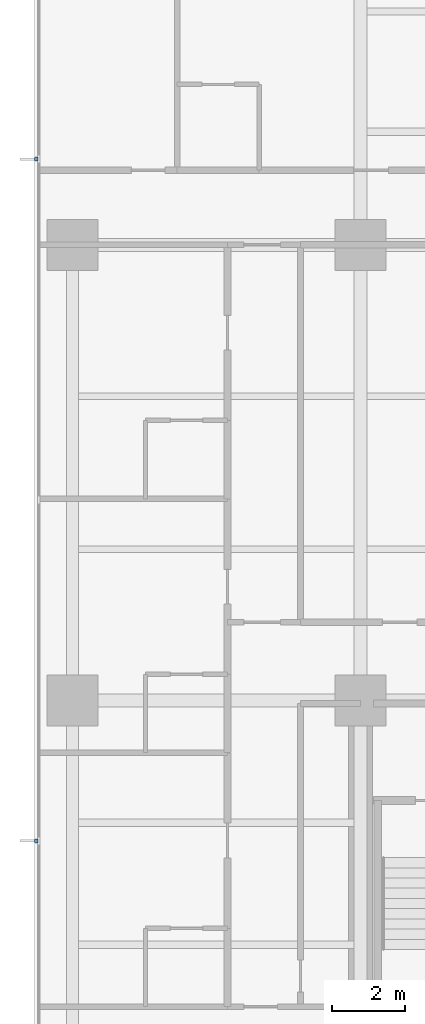
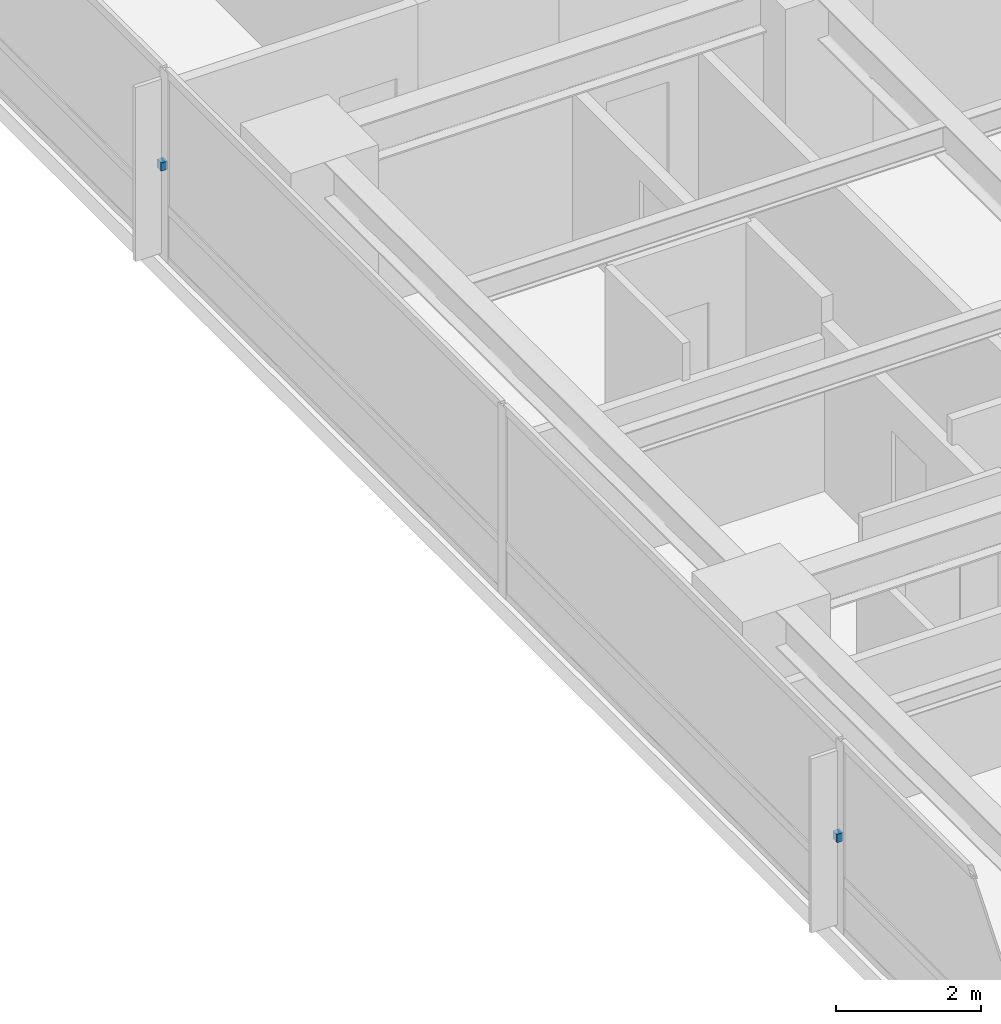
# One storey, part 12 of 16: 2 discrete accessories.
"""IFC4 building model written with IfcOpenShell, lengths in metres."""

from ifc_helpers import new_model, si_unit, direction, frame, origin, place, context, subcontext, project, spatial, polyline, outline, extrude, material, type_object, element, save


model = new_model("IFC4")

# Units and contexts
model_context = context("Model", 3, precision=1e-05, world=origin(), true_north=direction((0.0, 1.0)))
body_context = subcontext(model_context, "Body", "Model", "MODEL_VIEW")
ifc_project = project(units=[si_unit("LENGTHUNIT", "METRE"), si_unit("AREAUNIT", "SQUARE_METRE"), si_unit("VOLUMEUNIT", "CUBIC_METRE"), si_unit("PLANEANGLEUNIT", "RADIAN"), si_unit("MASSUNIT", "GRAM", prefix="KILO")], contexts=[model_context])

# Site, building, storey
site_placement = place(None, origin())
site = spatial("IfcSite", under=ifc_project, at=site_placement, CompositionType="ELEMENT")
building_placement = place(site_placement, origin())
building = spatial("IfcBuilding", under=site, at=building_placement, Name="Qalmaran Belvedere Hotel", CompositionType="ELEMENT")
storey_placement = place(building_placement, frame((0.0, 0.0, 64.89990234375)))
storey = spatial("IfcBuildingStorey", under=building, at=storey_placement, Name="L16", CompositionType="ELEMENT", Elevation=64.89990234375)

# Discrete accessories
ifc_material = material(Name="Stainless Steel 1.4401", Category="steel")
discrete_accessory_type = type_object("IfcDiscreteAccessoryType", Name="BRK-FIN-SS316", PredefinedType="BRACKET", material=ifc_material)
discrete_accessory_1_placement = place(storey_placement, frame((0.0, 0.0, 1.56005859375)))
element("IfcDiscreteAccessory", 1, at=discrete_accessory_1_placement, inside=storey, type_object=discrete_accessory_type, Name="L16 Fin Bracket 1", PredefinedType="BRACKET", context=body_context, shape_type="SweptSolid", body=[
    extrude(outline(polyline([(11.455078125, 35.405029296875), (11.357421875, 35.405029296875), (11.357421875, 35.294921875), (11.455078125, 35.294921875), (11.455078125, 35.405029296875)])), origin(), (0.0, 0.0, 1.0), 0.14013671875),
])
discrete_accessory_2_placement = place(storey_placement, frame((0.0, 0.0, 1.56005859375)))
element("IfcDiscreteAccessory", 2, at=discrete_accessory_2_placement, inside=storey, type_object=discrete_accessory_type, Name="L16 Fin Bracket 3", PredefinedType="BRACKET", context=body_context, shape_type="SweptSolid", body=[
    extrude(outline(polyline([(11.455078125, 16.705078125), (11.357421875, 16.705078125), (11.357421875, 16.594970703125), (11.455078125, 16.594970703125), (11.455078125, 16.705078125)])), origin(), (0.0, 0.0, 1.0), 0.14013671875),
])

save(model, "model.ifc")
